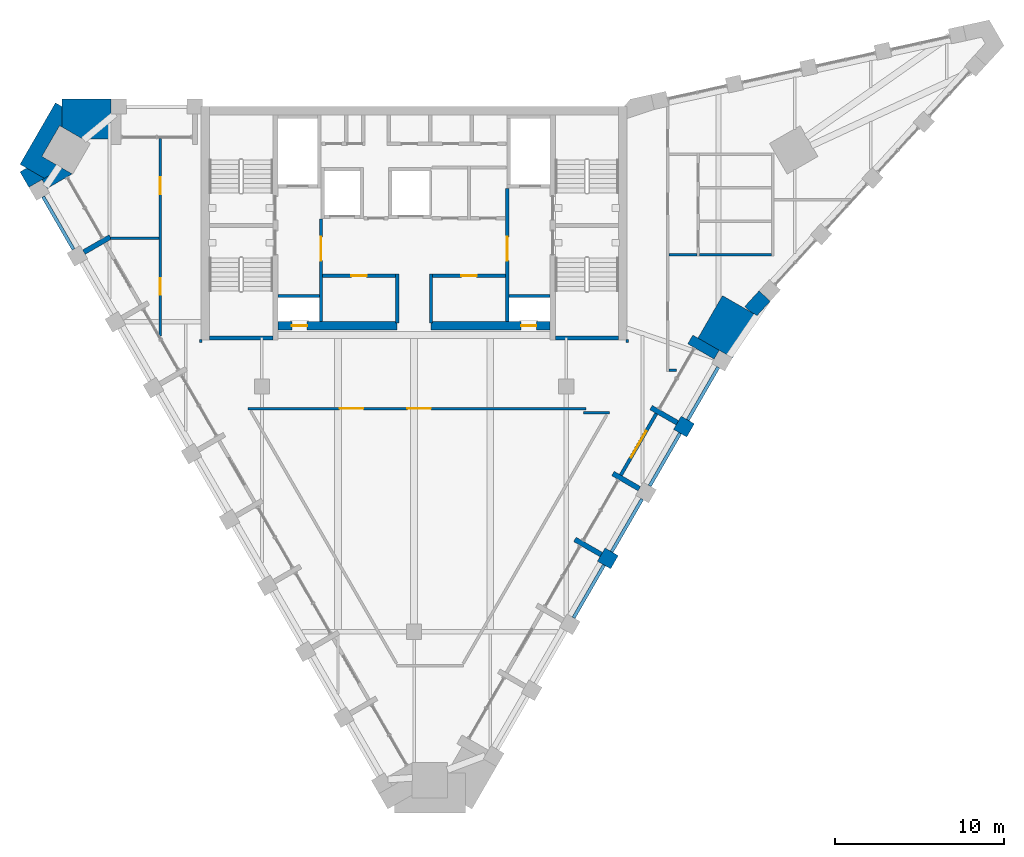
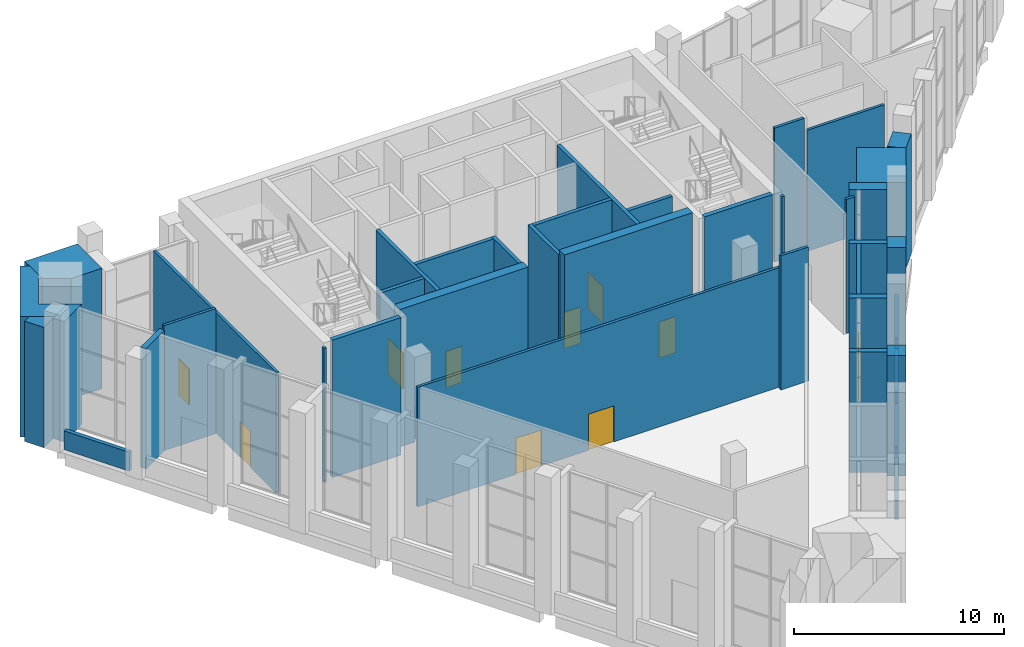
# One storey, part 11 of 16: 40 walls, 11 doors, 11 openings.
"""IFC4 building model written with IfcOpenShell, lengths in metres."""

from ifc_helpers import new_model, si_unit, direction, frame, frame_2d, origin, place, context, subcontext, project, spatial, polyline, rectangle, outline, extrude, material, layer, layer_set, type_object, element, fill, save


model = new_model("IFC4")

# Units and contexts
model_context = context("Model", 3, precision=1e-05, world=origin(), true_north=direction((0.0, 1.0)))
body_context = subcontext(model_context, "Body", "Model", "MODEL_VIEW")
ifc_project = project(units=[si_unit("LENGTHUNIT", "METRE"), si_unit("AREAUNIT", "SQUARE_METRE"), si_unit("VOLUMEUNIT", "CUBIC_METRE"), si_unit("PLANEANGLEUNIT", "RADIAN"), si_unit("MASSUNIT", "GRAM", prefix="KILO")], contexts=[model_context])

# Site, building, storey
site_placement = place(None, origin())
site = spatial("IfcSite", under=ifc_project, at=site_placement, CompositionType="ELEMENT")
building_placement = place(site_placement, origin())
building = spatial("IfcBuilding", under=site, at=building_placement, Name="Calabash Gate Tower", CompositionType="ELEMENT")
storey_placement = place(building_placement, frame((0.0, 0.0, 302.5)))
storey = spatial("IfcBuildingStorey", under=building, at=storey_placement, Name="L72", CompositionType="ELEMENT", Elevation=302.5)

# Walls
ifc_material_1 = material(Name="Terracotta brick masonry, exposed face", Category="masonry")
ifc_layer_1 = layer(ifc_material_1, 2.35009765625)
ifc_layer_set_1 = layer_set([ifc_layer_1], Name="Brick corner mass wall 2350")
wall_type_1 = type_object("IfcWallType", Name="Brick corner mass wall 2350", PredefinedType="SOLIDWALL", material=ifc_layer_set_1)
wall_1_placement = place(storey_placement, origin())
element("IfcWall", 1, at=wall_1_placement, inside=storey, type_object=wall_type_1, Name="Brick corner pier L72 2", PredefinedType="SOLIDWALL", context=body_context, shape_type="SweptSolid", body=[
    extrude(outline(polyline([(18.82275390625, 4.19482421875), (18.822509765625, 4.1943359375), (18.822509765625, 4.1943359375), (20.271240234375, 6.703125), (18.236083984375, 7.878173828125), (16.787353515625, 5.369140625), (18.04296875, 4.644287109375), (18.043212890625, 4.644775390625), (18.82275390625, 4.19482421875)])), origin(), (0.0, 0.0, 1.0), 7.0),
])
wall_2_placement = place(storey_placement, origin())
element("IfcWall", 2, at=wall_2_placement, inside=storey, type_object=wall_type_1, Name="Brick corner pier L72 3a", PredefinedType="SOLIDWALL", context=body_context, shape_type="SweptSolid", body=[
    extrude(outline(polyline([(-19.6171875, 17.152587890625), (-17.915771484375, 17.152587890625), (-17.915771484375, 18.60302734375), (-17.916015625, 18.60302734375), (-17.916015625, 19.50244140625), (-20.812744140625, 19.50244140625), (-20.812744140625, 17.8427734375), (-19.6171875, 17.152587890625)])), origin(), (0.0, 0.0, 1.0), 7.0),
])
wall_3_placement = place(storey_placement, origin())
element("IfcWall", 3, at=wall_3_placement, inside=storey, type_object=wall_type_1, Name="Brick corner pier L72 3b", PredefinedType="SOLIDWALL", context=body_context, shape_type="SweptSolid", body=[
    extrude(outline(polyline([(-20.957275390625, 17.92626953125), (-20.812744140625, 17.8427734375), (-20.812744140625, 19.052490234375), (-21.202392578125, 19.277587890625), (-23.301025390625, 15.64306640625), (-21.862548828125, 14.8125), (-20.813232421875, 15.418212890625), (-22.00732421875, 16.107666015625), (-20.957275390625, 17.92626953125)])), origin(), (0.0, 0.0, 1.0), 7.0),
])
wall_4_placement = place(storey_placement, origin())
element("IfcWall", 4, at=wall_4_placement, inside=storey, type_object=wall_type_1, Name="Brick corner pier L72 3c", PredefinedType="SOLIDWALL", context=body_context, shape_type="SweptSolid", body=[
    extrude(outline(polyline([(-21.997314453125, 14.734619140625), (-21.862548828125, 14.8125), (-22.9111328125, 15.41796875), (-23.301025390625, 15.19287109375), (-22.776611328125, 14.28466796875), (-21.997314453125, 14.734619140625), (-21.997314453125, 14.734619140625)])), origin(), (0.0, 0.0, 1.0), 7.0),
])
ifc_material_2 = material(Name="Terracotta brick masonry, exposed face", Category="masonry")
ifc_layer_2 = layer(ifc_material_2, 0.89990234375)
ifc_layer_set_2 = layer_set([ifc_layer_2], Name="Brick end wall 900")
wall_type_2 = type_object("IfcWallType", Name="Brick end wall 900", PredefinedType="SOLIDWALL", material=ifc_layer_set_2)
for number, where, z_axis, x_axis, name in (
    (5, (11.068115234375, -7.436767578125, 0.0), (0.0, 0.0, 1.0), (0.866081705922, -0.499902469156, 0.0), "Brick pier L72 SE2.3"),
    (6, (15.568115234375, 0.357421875, 0.0), (0.0, 0.0, 1.0), (0.866081705922, -0.499902469156, 0.0), "Brick pier L72 SE2.5"),
):
    element("IfcWall", number, at=place(storey_placement, frame(where, z_axis=z_axis, x_axis=x_axis)), inside=storey, type_object=wall_type_2, Name=name, PredefinedType="SOLIDWALL", context=body_context, shape_type="SweptSolid", body=[
        extrude(rectangle(XDim=0.900146484375, YDim=0.89990234375, at=frame_2d((0.4501953125, 0.0))), origin(), (0.0, 0.0, 1.0), 7.0),
    ])
wall_5_placement = place(storey_placement, origin())
element("IfcWall", 7, at=wall_5_placement, inside=storey, type_object=wall_type_2, Name="Brick end wall L72 1", PredefinedType="SOLIDWALL", context=body_context, shape_type="SweptSolid", body=[
    extrude(outline(polyline([(20.394775390625, 8.15625), (19.54931640625, 7.23193359375), (19.88134765625, 6.92822265625), (20.271240234375, 6.703125), (20.24658203125, 6.66064453125), (21.058837890625, 7.548828125), (20.394775390625, 8.15625)])), origin(), (0.0, 0.0, 1.0), 7.0),
])
ifc_material_3 = material(Name="Terracotta brick masonry, exposed face", Category="masonry")
ifc_layer_3 = layer(ifc_material_3, 0.300048828125)
ifc_layer_set_3 = layer_set([ifc_layer_3], Name="Brick loggia cheek wall 300")
wall_type_3 = type_object("IfcWallType", Name="Brick loggia cheek wall 300", PredefinedType="SOLIDWALL", material=ifc_layer_set_3)
wall_6_placement = place(storey_placement, origin())
element("IfcWall", 8, at=wall_6_placement, inside=storey, type_object=wall_type_3, Name="Loggia cheek L72 SW0.0", PredefinedType="SOLIDWALL", context=body_context, shape_type="SweptSolid", body=[
    extrude(outline(polyline([(-21.9970703125, 14.73486328125), (-21.697265625, 14.215087890625), (-20.21337890625, 15.07177734375), (-20.813232421875, 15.418212890625), (-21.9970703125, 14.73486328125)])), origin(), (0.0, 0.0, 1.0), 7.0),
])
for number, where, z_axis, x_axis, name in (
    (9, (-17.96337890625, 11.347900390625, 0.0), (0.0, 0.0, 1.0), (-0.866047807691, -0.499961193289, 0.0), "Loggia cheek L72 SW0.1"),
    (10, (11.068115234375, -7.436767578125, 0.0), (0.0, 0.0, 1.0), (-0.866047807691, 0.499961193289, 0.0), "Loggia cheek L72 SE2.3"),
):
    element("IfcWall", number, at=place(storey_placement, frame(where, z_axis=z_axis, x_axis=x_axis)), inside=storey, type_object=wall_type_3, Name=name, PredefinedType="SOLIDWALL", context=body_context, shape_type="SweptSolid", body=[
        extrude(rectangle(XDim=1.800048828125, YDim=0.300048828125, at=frame_2d((0.89990234375, 0.0))), origin(), (0.0, 0.0, 1.0), 7.0),
    ])
wall_7_placement = place(storey_placement, frame((11.75927734375, -2.6396484375, 0.0), z_axis=(0.0, 0.0, 1.0), x_axis=(0.866038726271, -0.499976924066, 0.0)))
element("IfcWall", 11, at=wall_7_placement, inside=storey, type_object=wall_type_3, Name="Loggia cheek L72 SE2.4", PredefinedType="SOLIDWALL", context=body_context, shape_type="SweptSolid", body=[
    extrude(rectangle(XDim=1.79931640625, YDim=0.300048828125, at=frame_2d((0.899658203125, 0.0))), origin(), (0.0, 0.0, 1.0), 7.0),
])
wall_8_placement = place(storey_placement, frame((15.568115234375, 0.357421875, 0.0), z_axis=(0.0, 0.0, 1.0), x_axis=(-0.866047807691, 0.499961193289, 0.0)))
element("IfcWall", 12, at=wall_8_placement, inside=storey, type_object=wall_type_3, Name="Loggia cheek L72 SE2.5", PredefinedType="SOLIDWALL", context=body_context, shape_type="SweptSolid", body=[
    extrude(rectangle(XDim=1.800048828125, YDim=0.300048828125, at=frame_2d((0.89990234375, 0.0))), origin(), (0.0, 0.0, 1.0), 7.0),
])
wall_9_placement = place(storey_placement, frame((17.89306640625, 4.384521484375, 0.0), z_axis=(0.0, 0.0, 1.0), x_axis=(-0.866047807691, 0.499961193289, 0.0)))
element("IfcWall", 13, at=wall_9_placement, inside=storey, type_object=wall_type_3, Name="Loggia cheek L72 SE2.6", PredefinedType="SOLIDWALL", context=body_context, shape_type="SweptSolid", body=[
    extrude(rectangle(XDim=1.800048828125, YDim=0.60009765625, at=frame_2d((0.89990234375, 0.0))), origin(), (0.0, 0.0, 1.0), 7.0),
])
ifc_material_4 = material(Name="Terracotta brick masonry, exposed face", Category="masonry")
ifc_layer_4 = layer(ifc_material_4, 0.199951171875)
ifc_layer_set_4 = layer_set([ifc_layer_4], Name="Brick parapet wall 200")
wall_type_4 = type_object("IfcWallType", Name="Brick parapet wall 200", PredefinedType="PARAPET", material=ifc_layer_set_4)
for number, where, z_axis, x_axis, name in (
    (14, (-21.936767578125, 13.73046875, 0.0), (0.0, 0.0, 1.0), (0.499931829785, -0.866064758299, 0.0), "Observation parapet L72 SW0.1"),
    (15, (9.432861328125, -11.169189453125, 0.0), (0.0, 0.0, 1.0), (0.500012057535, 0.866018442252, 0.0), "Observation parapet L72 SE2.3"),
    (16, (11.682861328125, -7.272216796875, 0.0), (0.0, 0.0, 1.0), (0.500012057535, 0.866018442252, 0.0), "Observation parapet L72 SE2.4"),
):
    element("IfcWall", number, at=place(storey_placement, frame(where, z_axis=z_axis, x_axis=x_axis)), inside=storey, type_object=wall_type_4, Name=name, PredefinedType="PARAPET", context=body_context, shape_type="SweptSolid", body=[
        extrude(rectangle(XDim=3.60009765625, YDim=0.199951171875, at=frame_2d((1.800048828125, 0.0))), origin(), (0.0, 0.0, 1.0), 1.10009765625),
    ])
wall_10_placement = place(storey_placement, origin())
element("IfcWall", 17, at=wall_10_placement, inside=storey, type_object=wall_type_4, Name="Observation parapet L72 SE2.5", PredefinedType="PARAPET", context=body_context, shape_type="SweptSolid", body=[
    extrude(outline(polyline([(15.646240234375, -0.207275390625), (13.84716796875, -3.32373046875), (14.020263671875, -3.423583984375), (15.819580078125, -0.307373046875), (15.646240234375, -0.207275390625)])), origin(), (0.0, 0.0, 1.0), 1.10009765625),
])
wall_11_placement = place(storey_placement, frame((16.182861328125, 0.522216796875, 0.0), z_axis=(0.0, 0.0, 1.0), x_axis=(0.500012057535, 0.866018442252, 0.0)))
element("IfcWall", 18, at=wall_11_placement, inside=storey, type_object=wall_type_4, Name="Observation parapet L72 SE2.6", PredefinedType="PARAPET", context=body_context, shape_type="SweptSolid", body=[
    extrude(rectangle(XDim=3.60009765625, YDim=0.199951171875, at=frame_2d((1.800048828125, 0.0))), origin(), (0.0, 0.0, 1.0), 1.10009765625),
])
ifc_material_5 = material(Name="Gypsum board on steel studs, mineral wool", Category="steel")
ifc_layer_5 = layer(ifc_material_5, 0.199951171875)
ifc_layer_set_5 = layer_set([ifc_layer_5], Name="Core partition 200 gypsum board")
wall_type_5 = type_object("IfcWallType", Name="Core partition 200 gypsum board", PredefinedType="PARTITIONING", material=ifc_layer_set_5)
for number, where, z_axis, x_axis, name in (
    (19, (-1.0, 6.272705078125, 0.0), (0.0, 0.0, 1.0), (0.0, 1.0, 0.0), "Core partition"),
    (20, (1.0, 6.272705078125, 0.0), (0.0, 0.0, 1.0), (0.0, 1.0, 0.0), "Core partition"),
):
    element("IfcWall", number, at=place(storey_placement, frame(where, z_axis=z_axis, x_axis=x_axis)), inside=storey, type_object=wall_type_5, Name=name, PredefinedType="PARTITIONING", context=body_context, shape_type="SweptSolid", body=[
        extrude(rectangle(XDim=2.8798828125, YDim=0.199951171875, at=frame_2d((1.43994140625, 0.0))), origin(), (0.0, 0.0, 1.0), 7.800048828125),
    ])

# Wall, opening, door
wall_12_placement = place(storey_placement, frame((-5.39990234375, 9.052490234375, 0.0), z_axis=(0.0, 0.0, 1.0), x_axis=(1.0, 0.0, 0.0)))
wall_12 = element("IfcWall", 21, at=wall_12_placement, inside=storey, type_object=wall_type_5, Name="Core partition", PredefinedType="PARTITIONING", context=body_context, shape_type="SweptSolid", body=[
    extrude(rectangle(XDim=4.2998046875, YDim=0.199951171875, at=frame_2d((2.14990234375, 0.0))), origin(), (0.0, 0.0, 1.0), 7.800048828125),
])
opening_1_placement = place(wall_12_placement, frame((1.699951171875, 0.0, 0.0)))
opening_1 = element("IfcOpeningElement", 22, at=opening_1_placement, cuts=wall_12, Name="Opening L72-018", PredefinedType="OPENING", context=body_context, shape_type="SweptSolid", body=[
    extrude(rectangle(XDim=0.89990234375, YDim=2.10009765625, at=frame_2d((0.449951171875, 1.050048828125))), frame((0.0, 0.10986328125, 0.0), z_axis=(0.0, -1.0, 0.0), x_axis=(1.0, 0.0, 0.0)), (0.0, 0.0, 1.0), 0.219970703125),
])
ifc_material_6 = material(Name="Steel fire door set with fire-resisting glazing", Category="steel")
door_type_1 = type_object("IfcDoorType", Name="Fire door D06 900x2100 FD60", OperationType="NOTDEFINED", PredefinedType="DOOR", material=ifc_material_6)
door_1_placement = place(opening_1_placement, origin())
door_1 = element("IfcDoor", 23, at=door_1_placement, inside=storey, type_object=door_type_1, Name="Visitor Services Office door", OperationType="SINGLE_SWING_RIGHT", OverallHeight=2.10009765625, OverallWidth=0.89990234375, PredefinedType="DOOR", context=body_context, shape_type="SweptSolid", body=[
    extrude(rectangle(XDim=0.89990234375, YDim=2.10009765625, at=frame_2d((0.449951171875, 1.050048828125))), frame((0.0, 0.02490234375, 0.0), z_axis=(0.0, -1.0, 0.0), x_axis=(1.0, 0.0, 0.0)), (0.0, 0.0, 1.0), 0.050048828125),
])
fill(opening_1, door_1)

wall_13_placement = place(storey_placement, frame((1.10009765625, 9.052490234375, 0.0), z_axis=(0.0, 0.0, 1.0), x_axis=(1.0, 0.0, 0.0)))
wall_13 = element("IfcWall", 24, at=wall_13_placement, inside=storey, type_object=wall_type_5, Name="Core partition", PredefinedType="PARTITIONING", context=body_context, shape_type="SweptSolid", body=[
    extrude(rectangle(XDim=4.2998046875, YDim=0.199951171875, at=frame_2d((2.14990234375, 0.0))), origin(), (0.0, 0.0, 1.0), 7.800048828125),
])
opening_2_placement = place(wall_13_placement, frame((1.699951171875, 0.0, 0.0)))
opening_2 = element("IfcOpeningElement", 25, at=opening_2_placement, cuts=wall_13, Name="Opening L72-019", PredefinedType="OPENING", context=body_context, shape_type="SweptSolid", body=[
    extrude(rectangle(XDim=0.89990234375, YDim=2.10009765625, at=frame_2d((0.449951171875, 1.050048828125))), frame((0.0, 0.10986328125, 0.0), z_axis=(0.0, -1.0, 0.0), x_axis=(1.0, 0.0, 0.0)), (0.0, 0.0, 1.0), 0.219970703125),
])
door_2_placement = place(opening_2_placement, origin())
door_2 = element("IfcDoor", 26, at=door_2_placement, inside=storey, type_object=door_type_1, Name="Ticket Office door", OperationType="SINGLE_SWING_LEFT", OverallHeight=2.10009765625, OverallWidth=0.89990234375, PredefinedType="DOOR", context=body_context, shape_type="SweptSolid", body=[
    extrude(rectangle(XDim=0.89990234375, YDim=2.10009765625, at=frame_2d((0.449951171875, 1.050048828125))), frame((0.0, 0.02490234375, 0.0), z_axis=(0.0, -1.0, 0.0), x_axis=(1.0, 0.0, 0.0)), (0.0, 0.0, 1.0), 0.050048828125),
])
fill(opening_2, door_2)

# Walls
ifc_material_7 = material(Name="Concrete C60/75", Category="concrete")
ifc_layer_6 = layer(ifc_material_7, 0.25)
ifc_layer_set_6 = layer_set([ifc_layer_6], Name="Core wall 250 Concrete C60/75")
wall_type_6 = type_object("IfcWallType", Name="Core wall 250 Concrete C60/75", PredefinedType="SHEAR", material=ifc_layer_set_6)
for number, where, z_axis, x_axis, name in (
    (27, (-12.10009765625, 5.377685546875, 0.0), (0.0, 0.0, 1.0), (1.0, 0.0, 0.0), "Core wall Z5-SSW L72"),
    (28, (8.35009765625, 5.377685546875, 0.0), (0.0, 0.0, 1.0), (1.0, 0.0, 0.0), "Core wall Z5-SSE L72"),
):
    element("IfcWall", number, at=place(storey_placement, frame(where, z_axis=z_axis, x_axis=x_axis)), inside=storey, type_object=wall_type_6, Name=name, PredefinedType="SHEAR", context=body_context, shape_type="SweptSolid", body=[
        extrude(rectangle(XDim=3.75, YDim=0.25, at=frame_2d((1.875, 0.0))), origin(), (0.0, 0.0, 1.0), 8.0),
    ])

# Wall, opening, door
ifc_material_8 = material(Name="Concrete C60/75", Category="concrete")
ifc_layer_7 = layer(ifc_material_8, 0.5)
ifc_layer_set_7 = layer_set([ifc_layer_7], Name="Core wall 500 Concrete C60/75")
wall_type_7 = type_object("IfcWallType", Name="Core wall 500 Concrete C60/75", PredefinedType="SHEAR", material=ifc_layer_set_7)
wall_14_placement = place(storey_placement, frame((-8.050048828125, 6.1025390625, 0.0), z_axis=(0.0, 0.0, 1.0), x_axis=(1.0, 0.0, 0.0)))
wall_14 = element("IfcWall", 29, at=wall_14_placement, inside=storey, type_object=wall_type_7, Name="Core wall Z5-SA L72", PredefinedType="SHEAR", context=body_context, shape_type="SweptSolid", body=[
    extrude(rectangle(XDim=7.050048828125, YDim=0.5, at=frame_2d((3.52490234375, 0.0))), origin(), (0.0, 0.0, 1.0), 8.0),
])
opening_3_placement = place(wall_14_placement, frame((0.824951171875, 0.0, 0.0)))
opening_3 = element("IfcOpeningElement", 30, at=opening_3_placement, cuts=wall_14, Name="Opening L72-022", PredefinedType="OPENING", context=body_context, shape_type="SweptSolid", body=[
    extrude(rectangle(XDim=0.89990234375, YDim=2.10009765625, at=frame_2d((0.449951171875, 1.050048828125))), frame((0.0, 0.260009765625, 0.0), z_axis=(0.0, -1.0, 0.0), x_axis=(1.0, 0.0, 0.0)), (0.0, 0.0, 1.0), 0.52001953125),
])
ifc_material_9 = material(Name="Steel fire door set with fire-resisting glazing", Category="steel")
door_type_2 = type_object("IfcDoorType", Name="Fire door D07 900x2100 FD90", OperationType="NOTDEFINED", PredefinedType="DOOR", material=ifc_material_9)
door_3_placement = place(opening_3_placement, origin())
door_3 = element("IfcDoor", 31, at=door_3_placement, inside=storey, type_object=door_type_2, Name="Electrical Riser W door", OperationType="SINGLE_SWING_LEFT", OverallHeight=2.10009765625, OverallWidth=0.89990234375, PredefinedType="DOOR", context=body_context, shape_type="SweptSolid", body=[
    extrude(rectangle(XDim=0.89990234375, YDim=2.10009765625, at=frame_2d((0.449951171875, 1.050048828125))), frame((0.0, 0.02490234375, 0.0), z_axis=(0.0, -1.0, 0.0), x_axis=(1.0, 0.0, 0.0)), (0.0, 0.0, 1.0), 0.050048828125),
])
fill(opening_3, door_3)

wall_15_placement = place(storey_placement, frame((1.0, 6.1025390625, 0.0), z_axis=(0.0, 0.0, 1.0), x_axis=(1.0, 0.0, 0.0)))
wall_15 = element("IfcWall", 32, at=wall_15_placement, inside=storey, type_object=wall_type_7, Name="Core wall Z5-SB L72", PredefinedType="SHEAR", context=body_context, shape_type="SweptSolid", body=[
    extrude(rectangle(XDim=7.050048828125, YDim=0.5, at=frame_2d((3.52490234375, 0.0))), origin(), (0.0, 0.0, 1.0), 8.0),
])
opening_4_placement = place(wall_15_placement, frame((5.324951171875, 0.0, 0.0)))
opening_4 = element("IfcOpeningElement", 33, at=opening_4_placement, cuts=wall_15, Name="Opening L72-023", PredefinedType="OPENING", context=body_context, shape_type="SweptSolid", body=[
    extrude(rectangle(XDim=0.89990234375, YDim=2.10009765625, at=frame_2d((0.449951171875, 1.050048828125))), frame((0.0, 0.260009765625, 0.0), z_axis=(0.0, -1.0, 0.0), x_axis=(1.0, 0.0, 0.0)), (0.0, 0.0, 1.0), 0.52001953125),
])
door_4_placement = place(opening_4_placement, origin())
door_4 = element("IfcDoor", 34, at=door_4_placement, inside=storey, type_object=door_type_2, Name="Mechanical Riser E door", OperationType="SINGLE_SWING_RIGHT", OverallHeight=2.10009765625, OverallWidth=0.89990234375, PredefinedType="DOOR", context=body_context, shape_type="SweptSolid", body=[
    extrude(rectangle(XDim=0.89990234375, YDim=2.10009765625, at=frame_2d((0.449951171875, 1.050048828125))), frame((0.0, 0.02490234375, 0.0), z_axis=(0.0, -1.0, 0.0), x_axis=(1.0, 0.0, 0.0)), (0.0, 0.0, 1.0), 0.050048828125),
])
fill(opening_4, door_4)

# Wall
ifc_material_10 = material(Name="Gypsum board on steel studs, mineral wool", Category="steel")
ifc_layer_8 = layer(ifc_material_10, 0.14990234375)
ifc_layer_set_8 = layer_set([ifc_layer_8], Name="Partition 150 gypsum board")
wall_type_8 = type_object("IfcWallType", Name="Partition 150 gypsum board", PredefinedType="PARTITIONING", material=ifc_layer_set_8)
wall_16_placement = place(storey_placement, frame((10.02490234375, 0.952880859375, 0.0), z_axis=(0.0, 0.0, 1.0), x_axis=(1.0, 0.0, 0.0)))
element("IfcWall", 35, at=wall_16_placement, inside=storey, type_object=wall_type_8, Name="Partition", PredefinedType="PARTITIONING", context=body_context, shape_type="SweptSolid", body=[
    extrude(rectangle(XDim=1.51611328125, YDim=0.14990234375, at=frame_2d((0.758056640625, 0.0))), origin(), (0.0, 0.0, 1.0), 7.800048828125),
])

# Wall, openings, doors
wall_17_placement = place(storey_placement, frame((-9.81201171875, 1.199951171875, 0.0), z_axis=(0.0, 0.0, 1.0), x_axis=(1.0, 0.0, 0.0)))
wall_17 = element("IfcWall", 36, at=wall_17_placement, inside=storey, type_object=wall_type_8, Name="Partition", PredefinedType="PARTITIONING", context=body_context, shape_type="SweptSolid", body=[
    extrude(rectangle(XDim=19.987060546875, YDim=0.14990234375, at=frame_2d((9.99365234375, 0.0))), origin(), (0.0, 0.0, 1.0), 6.9541015625),
])
opening_5_placement = place(wall_17_placement, frame((9.412109375, 0.0, 0.0)))
opening_5 = element("IfcOpeningElement", 37, at=opening_5_placement, cuts=wall_17, Name="Opening L72-032", PredefinedType="OPENING", context=body_context, shape_type="SweptSolid", body=[
    extrude(rectangle(XDim=1.39990234375, YDim=2.10009765625, at=frame_2d((0.699951171875, 1.050048828125))), frame((0.0, 0.0849609375, 0.0), z_axis=(0.0, -1.0, 0.0), x_axis=(1.0, 0.0, 0.0)), (0.0, 0.0, 1.0), 0.169921875),
])
opening_6_placement = place(wall_17_placement, frame((5.412109375, 0.0, 0.0)))
opening_6 = element("IfcOpeningElement", 38, at=opening_6_placement, cuts=wall_17, Name="Opening L72-033", PredefinedType="OPENING", context=body_context, shape_type="SweptSolid", body=[
    extrude(rectangle(XDim=1.39990234375, YDim=2.10009765625, at=frame_2d((0.699951171875, 1.050048828125))), frame((0.0, 0.0849609375, 0.0), z_axis=(0.0, -1.0, 0.0), x_axis=(1.0, 0.0, 0.0)), (0.0, 0.0, 1.0), 0.169921875),
])
ifc_material_11 = material(Name="Steel fire door set with fire-resisting glazing", Category="steel")
door_type_3 = type_object("IfcDoorType", Name="Fire door D15 1400x2100 FD30", OperationType="NOTDEFINED", PredefinedType="DOOR", material=ifc_material_11)
door_5_placement = place(opening_5_placement, origin())
door_5 = element("IfcDoor", 39, at=door_5_placement, inside=storey, type_object=door_type_3, Name="Skyline Exhibit Gallery door", OperationType="SINGLE_SWING_LEFT", OverallHeight=2.10009765625, OverallWidth=1.39990234375, PredefinedType="DOOR", context=body_context, shape_type="SweptSolid", body=[
    extrude(rectangle(XDim=1.39990234375, YDim=2.10009765625, at=frame_2d((0.699951171875, 1.050048828125))), frame((0.0, 0.02490234375, 0.0), z_axis=(0.0, -1.0, 0.0), x_axis=(1.0, 0.0, 0.0)), (0.0, 0.0, 1.0), 0.050048828125),
])
fill(opening_5, door_5)
door_6_placement = place(opening_6_placement, origin())
door_6 = element("IfcDoor", 40, at=door_6_placement, inside=storey, type_object=door_type_3, Name="Skyline Exhibit Gallery door", OperationType="SINGLE_SWING_RIGHT", OverallHeight=2.10009765625, OverallWidth=1.39990234375, PredefinedType="DOOR", context=body_context, shape_type="SweptSolid", body=[
    extrude(rectangle(XDim=1.39990234375, YDim=2.10009765625, at=frame_2d((0.699951171875, 1.050048828125))), frame((0.0, 0.02490234375, 0.0), z_axis=(0.0, -1.0, 0.0), x_axis=(1.0, 0.0, 0.0)), (0.0, 0.0, 1.0), 0.050048828125),
])
fill(opening_6, door_6)

# Walls
wall_18_placement = place(storey_placement, frame((15.074951171875, 3.45263671875, 0.0), z_axis=(0.0, 0.0, 1.0), x_axis=(1.0, 0.0, 0.0)))
element("IfcWall", 41, at=wall_18_placement, inside=storey, type_object=wall_type_8, Name="Partition", PredefinedType="PARTITIONING", context=body_context, shape_type="SweptSolid", body=[
    extrude(rectangle(XDim=0.449951171875, YDim=0.14990234375, at=frame_2d((0.22509765625, 0.0))), origin(), (0.0, 0.0, 1.0), 7.800048828125),
])
for number, where, z_axis, x_axis, name in (
    (42, (-12.60009765625, 5.09765625, 0.0), (0.0, 0.0, 1.0), (0.0, 1.0, 0.0), "Partition"),
    (43, (12.60009765625, 5.09765625, 0.0), (0.0, 0.0, 1.0), (0.0, 1.0, 0.0), "Partition"),
):
    element("IfcWall", number, at=place(storey_placement, frame(where, z_axis=z_axis, x_axis=x_axis)), inside=storey, type_object=wall_type_8, Name=name, PredefinedType="PARTITIONING", context=body_context, shape_type="SweptSolid", body=[
        extrude(rectangle(XDim=0.179931640625, YDim=0.14990234375, at=frame_2d((0.08984375, 0.0))), origin(), (0.0, 0.0, 1.0), 7.800048828125),
    ])

# Wall, openings, doors
wall_19_placement = place(storey_placement, frame((-15.0, 5.495361328125, 0.0), z_axis=(0.0, 0.0, 1.0), x_axis=(0.0, 1.0, 0.0)))
wall_19 = element("IfcWall", 44, at=wall_19_placement, inside=storey, type_object=wall_type_8, Name="Partition", PredefinedType="PARTITIONING", context=body_context, shape_type="SweptSolid", body=[
    extrude(rectangle(XDim=11.67724609375, YDim=0.14990234375, at=frame_2d((5.838623046875, 0.0))), origin(), (0.0, 0.0, 1.0), 7.02001953125),
])
opening_7_placement = place(wall_19_placement, frame((8.388671875, 0.0, 0.0)))
opening_7 = element("IfcOpeningElement", 45, at=opening_7_placement, cuts=wall_19, Name="Opening L72-024", PredefinedType="OPENING", context=body_context, shape_type="SweptSolid", body=[
    extrude(rectangle(XDim=1.0, YDim=2.10009765625, at=frame_2d((0.5, 1.050048828125))), frame((0.0, 0.0849609375, 0.0), z_axis=(0.0, -1.0, 0.0), x_axis=(1.0, 0.0, 0.0)), (0.0, 0.0, 1.0), 0.169921875),
])
opening_8_placement = place(wall_19_placement, frame((2.419921875, 0.0, 0.0)))
opening_8 = element("IfcOpeningElement", 46, at=opening_8_placement, cuts=wall_19, Name="Opening L72-025", PredefinedType="OPENING", context=body_context, shape_type="SweptSolid", body=[
    extrude(rectangle(XDim=1.0, YDim=2.10009765625, at=frame_2d((0.5, 1.050048828125))), frame((0.0, 0.0849609375, 0.0), z_axis=(0.0, -1.0, 0.0), x_axis=(1.0, 0.0, 0.0)), (0.0, 0.0, 1.0), 0.169921875),
])
ifc_material_12 = material(Name="Steel fire door set with fire-resisting glazing", Category="steel")
door_type_4 = type_object("IfcDoorType", Name="Fire door D11 1000x2100 FD60", OperationType="NOTDEFINED", PredefinedType="DOOR", material=ifc_material_12)
door_7_placement = place(opening_7_placement, origin())
door_7 = element("IfcDoor", 47, at=door_7_placement, inside=storey, type_object=door_type_4, Name="Observation Cafe door", OperationType="SINGLE_SWING_LEFT", OverallHeight=2.10009765625, OverallWidth=1.0, PredefinedType="DOOR", context=body_context, shape_type="SweptSolid", body=[
    extrude(rectangle(XDim=1.0, YDim=2.10009765625, at=frame_2d((0.5, 1.050048828125))), frame((0.0, 0.02490234375, 0.0), z_axis=(0.0, -1.0, 0.0), x_axis=(1.0, 0.0, 0.0)), (0.0, 0.0, 1.0), 0.050048828125),
])
fill(opening_7, door_7)
door_8_placement = place(opening_8_placement, origin())
door_8 = element("IfcDoor", 48, at=door_8_placement, inside=storey, type_object=door_type_4, Name="Cafe Store door", OperationType="SINGLE_SWING_RIGHT", OverallHeight=2.10009765625, OverallWidth=1.0, PredefinedType="DOOR", context=body_context, shape_type="SweptSolid", body=[
    extrude(rectangle(XDim=1.0, YDim=2.10009765625, at=frame_2d((0.5, 1.050048828125))), frame((0.0, 0.02490234375, 0.0), z_axis=(0.0, -1.0, 0.0), x_axis=(1.0, 0.0, 0.0)), (0.0, 0.0, 1.0), 0.050048828125),
])
fill(opening_8, door_8)

# Walls
wall_20_placement = place(storey_placement, frame((15.074951171875, 10.298583984375, 0.0), z_axis=(0.0, 0.0, 1.0), x_axis=(1.0, 0.0, 0.0)))
element("IfcWall", 49, at=wall_20_placement, inside=storey, type_object=wall_type_8, Name="Partition", PredefinedType="PARTITIONING", context=body_context, shape_type="SweptSolid", body=[
    extrude(rectangle(XDim=1.650146484375, YDim=0.14990234375, at=frame_2d((0.8251953125, 0.0))), origin(), (0.0, 0.0, 1.0), 7.800048828125),
])
wall_21_placement = place(storey_placement, frame((16.875, 10.298583984375, 0.0), z_axis=(0.0, 0.0, 1.0), x_axis=(1.0, 0.0, 0.0)))
element("IfcWall", 50, at=wall_21_placement, inside=storey, type_object=wall_type_8, Name="Partition", PredefinedType="PARTITIONING", context=body_context, shape_type="SweptSolid", body=[
    extrude(rectangle(XDim=4.25, YDim=0.14990234375, at=frame_2d((2.125, 0.0))), origin(), (0.0, 0.0, 1.0), 7.04345703125),
])
wall_22_placement = place(storey_placement, frame((-17.9462890625, 11.283935546875, 0.0), z_axis=(0.0, 0.0, 1.0), x_axis=(1.0, 0.0, 0.0)))
element("IfcWall", 51, at=wall_22_placement, inside=storey, type_object=wall_type_8, Name="Partition", PredefinedType="PARTITIONING", context=body_context, shape_type="SweptSolid", body=[
    extrude(rectangle(XDim=2.871337890625, YDim=0.14990234375, at=frame_2d((1.435546875, 0.0))), origin(), (0.0, 0.0, 1.0), 7.271728515625),
])

# Wall, opening, door
ifc_material_13 = material(Name="Concrete C40/50", Category="concrete")
ifc_layer_9 = layer(ifc_material_13, 0.199951171875)
ifc_layer_set_9 = layer_set([ifc_layer_9], Name="Shaft wall 200 Concrete C40/50")
wall_type_9 = type_object("IfcWallType", Name="Shaft wall 200 Concrete C40/50", PredefinedType="SOLIDWALL", material=ifc_layer_set_9)
wall_23_placement = place(storey_placement, frame((-5.5, 6.3525390625, 0.0), z_axis=(0.0, 0.0, 1.0), x_axis=(0.0, 1.0, 0.0)))
wall_23 = element("IfcWall", 52, at=wall_23_placement, inside=storey, type_object=wall_type_9, Name="Shaft wall", PredefinedType="SOLIDWALL", context=body_context, shape_type="SweptSolid", body=[
    extrude(rectangle(XDim=6.050048828125, YDim=0.199951171875, at=frame_2d((3.02490234375, 0.0))), origin(), (0.0, 0.0, 1.0), 7.800048828125),
])
opening_9_placement = place(wall_23_placement, frame((3.60009765625, 0.0, 0.0)))
opening_9 = element("IfcOpeningElement", 53, at=opening_9_placement, cuts=wall_23, Name="Opening L72-011", PredefinedType="OPENING", context=body_context, shape_type="SweptSolid", body=[
    extrude(rectangle(XDim=1.39990234375, YDim=2.10009765625, at=frame_2d((0.699951171875, 1.050048828125))), frame((0.0, 0.10986328125, 0.0), z_axis=(0.0, -1.0, 0.0), x_axis=(1.0, 0.0, 0.0)), (0.0, 0.0, 1.0), 0.219970703125),
])
ifc_material_14 = material(Name="Steel fire door set with fire-resisting glazing", Category="steel")
door_type_5 = type_object("IfcDoorType", Name="Fire door D05 1400x2100 FD90", OperationType="NOTDEFINED", PredefinedType="DOOR", material=ifc_material_14)
door_9_placement = place(opening_9_placement, origin())
door_9 = element("IfcDoor", 54, at=door_9_placement, inside=storey, type_object=door_type_5, Name="Firefighting Lobby W door", OperationType="SINGLE_SWING_RIGHT", OverallHeight=2.10009765625, OverallWidth=1.39990234375, PredefinedType="DOOR", context=body_context, shape_type="SweptSolid", body=[
    extrude(rectangle(XDim=1.39990234375, YDim=2.10009765625, at=frame_2d((0.699951171875, 1.050048828125))), frame((0.0, 0.02490234375, 0.0), z_axis=(0.0, -1.0, 0.0), x_axis=(1.0, 0.0, 0.0)), (0.0, 0.0, 1.0), 0.050048828125),
])
fill(opening_9, door_9)

wall_24_placement = place(storey_placement, frame((5.5, 6.3525390625, 0.0), z_axis=(0.0, 0.0, 1.0), x_axis=(0.0, 1.0, 0.0)))
wall_24 = element("IfcWall", 55, at=wall_24_placement, inside=storey, type_object=wall_type_9, Name="Shaft wall", PredefinedType="SOLIDWALL", context=body_context, shape_type="SweptSolid", body=[
    extrude(rectangle(XDim=7.85009765625, YDim=0.199951171875, at=frame_2d((3.925048828125, 0.0))), origin(), (0.0, 0.0, 1.0), 7.800048828125),
])
opening_10_placement = place(wall_24_placement, frame((3.60009765625, 0.0, 0.0)))
opening_10 = element("IfcOpeningElement", 56, at=opening_10_placement, cuts=wall_24, Name="Opening L72-012", PredefinedType="OPENING", context=body_context, shape_type="SweptSolid", body=[
    extrude(rectangle(XDim=1.39990234375, YDim=2.10009765625, at=frame_2d((0.699951171875, 1.050048828125))), frame((0.0, 0.10986328125, 0.0), z_axis=(0.0, -1.0, 0.0), x_axis=(1.0, 0.0, 0.0)), (0.0, 0.0, 1.0), 0.219970703125),
])
door_10_placement = place(opening_10_placement, origin())
door_10 = element("IfcDoor", 57, at=door_10_placement, inside=storey, type_object=door_type_5, Name="Firefighting Lobby E door", OperationType="SINGLE_SWING_LEFT", OverallHeight=2.10009765625, OverallWidth=1.39990234375, PredefinedType="DOOR", context=body_context, shape_type="SweptSolid", body=[
    extrude(rectangle(XDim=1.39990234375, YDim=2.10009765625, at=frame_2d((0.699951171875, 1.050048828125))), frame((0.0, 0.02490234375, 0.0), z_axis=(0.0, -1.0, 0.0), x_axis=(1.0, 0.0, 0.0)), (0.0, 0.0, 1.0), 0.050048828125),
])
fill(opening_10, door_10)

# Walls
for number, where, z_axis, x_axis, name in (
    (58, (-8.050048828125, 7.8525390625, 0.0), (0.0, 0.0, 1.0), (1.0, 0.0, 0.0), "Shaft wall"),
    (59, (5.60009765625, 7.8525390625, 0.0), (0.0, 0.0, 1.0), (1.0, 0.0, 0.0), "Shaft wall"),
):
    element("IfcWall", number, at=place(storey_placement, frame(where, z_axis=z_axis, x_axis=x_axis)), inside=storey, type_object=wall_type_9, Name=name, PredefinedType="SOLIDWALL", context=body_context, shape_type="SweptSolid", body=[
        extrude(rectangle(XDim=2.449951171875, YDim=0.199951171875, at=frame_2d((1.22509765625, 0.0))), origin(), (0.0, 0.0, 1.0), 7.800048828125),
    ])

# Wall, opening, door
ifc_material_15 = material(Name="Aluminium framed window wall with insulated spandrel", Category="aluminium")
ifc_layer_10 = layer(ifc_material_15, 0.199951171875)
ifc_layer_set_10 = layer_set([ifc_layer_10], Name="Window wall 200")
wall_type_10 = type_object("IfcWallType", Name="Window wall 200", PredefinedType="ELEMENTEDWALL", material=ifc_layer_set_10)
wall_25_placement = place(storey_placement, frame((12.22412109375, -2.73486328125, 0.0), z_axis=(0.0, 0.0, 1.0), x_axis=(0.499958946799, 0.866049104564, 0.0)))
wall_25 = element("IfcWall", 60, at=wall_25_placement, inside=storey, type_object=wall_type_10, Name="Window wall L72 SE2.5", PredefinedType="ELEMENTEDWALL", context=body_context, shape_type="SweptSolid", body=[
    extrude(rectangle(XDim=4.199951171875, YDim=0.199951171875, at=frame_2d((2.10009765625, 0.0))), origin(), (0.0, 0.0, 1.0), 7.0),
])
opening_11_placement = place(wall_25_placement, frame((1.199951171875, 0.0, 0.0)))
opening_11 = element("IfcOpeningElement", 61, at=opening_11_placement, cuts=wall_25, Name="Opening L72-005", PredefinedType="OPENING", context=body_context, shape_type="SweptSolid", body=[
    extrude(rectangle(XDim=1.800048828125, YDim=2.699951171875, at=frame_2d((0.89990234375, 1.35009765625))), frame((0.0, 0.10986328125, 0.0), z_axis=(0.0, -1.0, 0.0), x_axis=(1.0, 0.0, 0.0)), (0.0, 0.0, 1.0), 0.219970703125),
])
ifc_material_16 = material(Name="Anodised aluminium frame, bronze finish, impact-rated laminated clear glazing", Category="aluminium")
door_type_6 = type_object("IfcDoorType", Name="Observation deck door DX1 1800x2700", OperationType="DOUBLE_DOOR_SINGLE_SWING", PredefinedType="DOOR", material=ifc_material_16)
door_11_placement = place(opening_11_placement, origin())
door_11 = element("IfcDoor", 62, at=door_11_placement, inside=storey, type_object=door_type_6, Name="Loggia door L72 SE2.5", OperationType="SINGLE_SWING_LEFT", OverallHeight=2.699951171875, OverallWidth=1.800048828125, PredefinedType="DOOR", context=body_context, shape_type="SweptSolid", body=[
    extrude(rectangle(XDim=1.800048828125, YDim=2.699951171875, at=frame_2d((0.89990234375, 1.35009765625))), frame((0.0, 0.02490234375, 0.0), z_axis=(0.0, -1.0, 0.0), x_axis=(1.0, 0.0, 0.0)), (0.0, 0.0, 1.0), 0.050048828125),
])
fill(opening_11, door_11)

save(model, "model.ifc")
